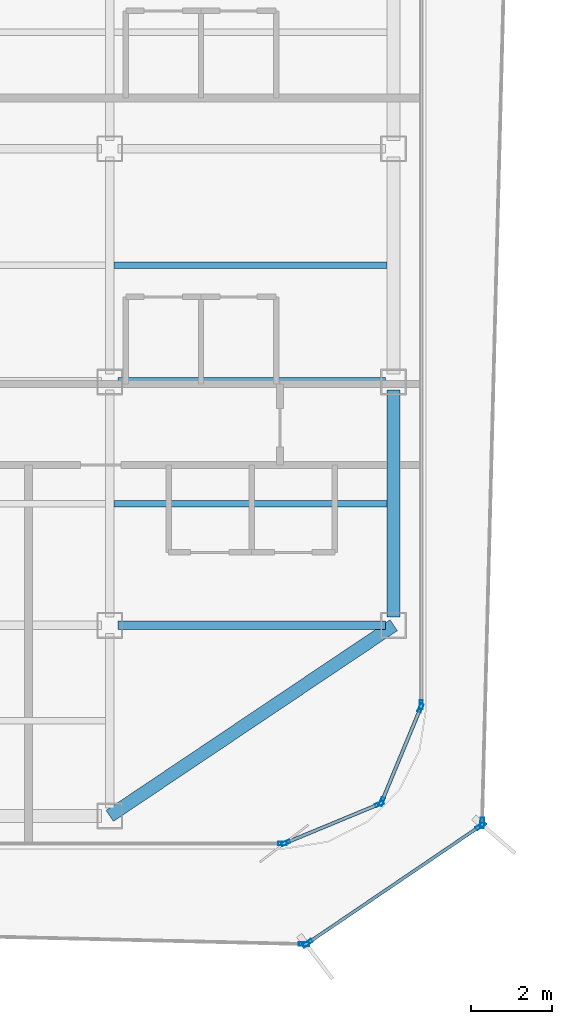
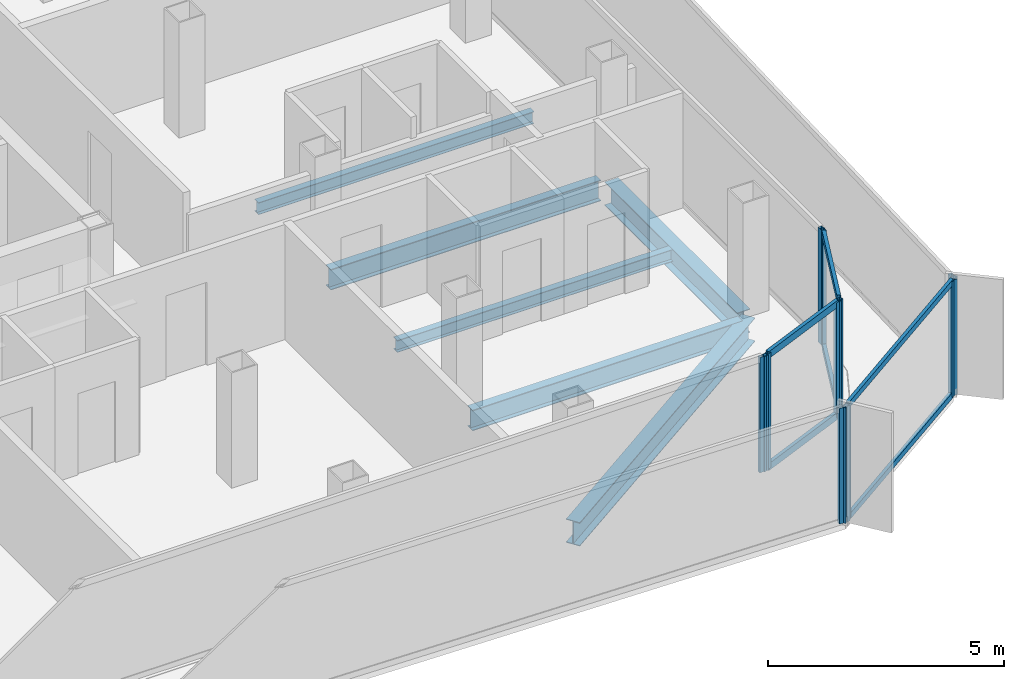
# One storey, part 4 of 16: 16 members, 6 beams, 7 elements without a shape of their own.
"""IFC4 building model written with IfcOpenShell, lengths in metres."""

from ifc_helpers import new_model, si_unit, direction, frame, origin, origin_2d, place, context, subcontext, project, spatial, hollow_rectangle, i_section, extrude, source, transform, mapped, material, layer, layer_set, material_profile, profile_set, type_object, element, aggregate, save


model = new_model("IFC4")

# Units and contexts
model_context = context("Model", 3, precision=1e-05, world=origin(), true_north=direction((0.0, 1.0)))
body_context = subcontext(model_context, "Body", "Model", "MODEL_VIEW")
ifc_project = project(units=[si_unit("LENGTHUNIT", "METRE"), si_unit("AREAUNIT", "SQUARE_METRE"), si_unit("VOLUMEUNIT", "CUBIC_METRE"), si_unit("PLANEANGLEUNIT", "RADIAN"), si_unit("MASSUNIT", "GRAM", prefix="KILO")], contexts=[model_context])

# Site, building, storey
site_placement = place(None, origin())
site = spatial("IfcSite", under=ifc_project, at=site_placement, CompositionType="ELEMENT")
building_placement = place(site_placement, origin())
building = spatial("IfcBuilding", under=site, at=building_placement, Name="Kolveth Station Tower", CompositionType="ELEMENT")
storey_placement = place(building_placement, frame((0.0, 0.0, 236.10009765625)))
storey = spatial("IfcBuildingStorey", under=building, at=storey_placement, Name="L67", CompositionType="ELEMENT", Elevation=236.10009765625)

# Beams
ifc_material_1 = material(Name="Steel S355", Category="steel")
ifc_material_profile_1 = material_profile(ifc_material_1, i_section(OverallWidth=0.323974609375, OverallDepth=0.611083984375, WebThickness=0.0126953125, FlangeThickness=0.01904296875, at=origin_2d()), Name="W610x155")
ifc_profile_set_1 = profile_set([ifc_material_profile_1], Name="Steel S355")
beam_type_1 = type_object("IfcBeamType", Name="Beam_SP2", PredefinedType="SPANDREL", material=ifc_profile_set_1)
shared_shape_1 = source(origin(), body_context, "Body", "SweptSolid", [
    extrude(i_section(OverallWidth=0.323974609375, OverallDepth=0.611083984375, WebThickness=0.0126953125, FlangeThickness=0.01904296875, at=origin_2d()), origin(), (0.0, 0.0, 1.0), 8.431396484375),
])
beam_1_placement = place(storey_placement, frame((34.0, 0.800048828125, -0.525634765625), z_axis=(0.830223811004, 0.557430196206, 0.0), x_axis=(-0.557430196206, 0.830223811004, 0.0)))
element("IfcBeam", 1, at=beam_1_placement, inside=storey, type_object=beam_type_1, Name="L67 Corner Edge Girder BM-L67-CNR-SE", PredefinedType="SPANDREL", context=body_context, shape_type="MappedRepresentation", body=[
    mapped(shared_shape_1, transform((0.0, 0.0, 0.0), x_axis=(1.0, 0.0, 0.0), y_axis=(0.0, 1.0, 0.0), z_axis=(0.0, 0.0, 1.0), scale=1.0)),
])
shared_shape_2 = source(origin(), body_context, "Body", "SweptSolid", [
    extrude(i_section(OverallWidth=0.323974609375, OverallDepth=0.611083984375, WebThickness=0.0126953125, FlangeThickness=0.01904296875, at=origin_2d()), origin(), (0.0, 0.0, 1.0), 5.60009765625),
])
beam_2_placement = place(storey_placement, frame((41.0, 5.699951171875, -0.525634765625), z_axis=(0.0, 1.0, 0.0), x_axis=(-1.0, 0.0, 0.0)))
element("IfcBeam", 2, at=beam_2_placement, inside=storey, type_object=beam_type_1, Name="L67 Perimeter Spandrel BM-L67-PE-1", PredefinedType="SPANDREL", context=body_context, shape_type="MappedRepresentation", body=[
    mapped(shared_shape_2, transform((0.0, 0.0, 0.0), x_axis=(1.0, 0.0, 0.0), y_axis=(0.0, 1.0, 0.0), z_axis=(0.0, 0.0, 1.0), scale=1.0)),
])
ifc_material_profile_2 = material_profile(ifc_material_1, i_section(OverallWidth=0.2099609375, OverallDepth=0.537109375, WebThickness=0.010986328125, FlangeThickness=0.017333984375, at=origin_2d()), Name="W530x101")
ifc_profile_set_2 = profile_set([ifc_material_profile_2], Name="Steel S355")
beam_type_2 = type_object("IfcBeamType", Name="Beam_B6", PredefinedType="BEAM", material=ifc_profile_set_2)
shared_shape_3 = source(origin(), body_context, "Body", "SweptSolid", [
    extrude(i_section(OverallWidth=0.2099609375, OverallDepth=0.537109375, WebThickness=0.010986328125, FlangeThickness=0.017333984375, at=origin_2d()), origin(), (0.0, 0.0, 1.0), 6.60009765625),
])
for number, where, z_axis, x_axis, name in (
    (3, (34.199951171875, 5.5, -0.488525390625), (1.0, 0.0, 0.0), (0.0, 1.0, 0.0), "L67 Primary Girder BM-L67-GY55-5"),
    (4, (34.199951171875, 11.5, -0.488525390625), (1.0, 0.0, 0.0), (0.0, 1.0, 0.0), "L67 Primary Girder BM-L67-GY115-5"),
):
    element("IfcBeam", number, at=place(storey_placement, frame(where, z_axis=z_axis, x_axis=x_axis)), inside=storey, type_object=beam_type_2, Name=name, PredefinedType="BEAM", context=body_context, shape_type="MappedRepresentation", body=[
        mapped(shared_shape_3, transform((0.0, 0.0, 0.0), x_axis=(1.0, 0.0, 0.0), y_axis=(0.0, 1.0, 0.0), z_axis=(0.0, 0.0, 1.0), scale=1.0)),
    ])
ifc_material_profile_3 = material_profile(ifc_material_1, i_section(OverallWidth=0.1650390625, OverallDepth=0.31005859375, WebThickness=0.005859375, FlangeThickness=0.009765625, at=origin_2d()), Name="W310x39")
ifc_profile_set_3 = profile_set([ifc_material_profile_3], Name="Steel S355")
beam_type_3 = type_object("IfcBeamType", Name="Beam_J3", PredefinedType="JOIST", material=ifc_profile_set_3)
shared_shape_4 = source(origin(), body_context, "Body", "SweptSolid", [
    extrude(i_section(OverallWidth=0.1650390625, OverallDepth=0.31005859375, WebThickness=0.005859375, FlangeThickness=0.009765625, at=origin_2d()), origin(), (0.0, 0.0, 1.0), 6.737060546875),
])
for number, where, z_axis, x_axis, name in (
    (5, (34.10302734375, 8.5, -0.375), (1.0, 0.0, 0.0), (0.0, 1.0, 0.0), "L67 Secondary Joist JST-L67-5-2"),
    (6, (34.10302734375, 14.375, -0.375), (1.0, 0.0, 0.0), (0.0, 1.0, 0.0), "L67 Secondary Joist JST-L67-5-3"),
):
    element("IfcBeam", number, at=place(storey_placement, frame(where, z_axis=z_axis, x_axis=x_axis)), inside=storey, type_object=beam_type_3, Name=name, PredefinedType="JOIST", context=body_context, shape_type="MappedRepresentation", body=[
        mapped(shared_shape_4, transform((0.0, 0.0, 0.0), x_axis=(1.0, 0.0, 0.0), y_axis=(0.0, 1.0, 0.0), z_axis=(0.0, 0.0, 1.0), scale=1.0)),
    ])

# Curtain wall, members
ifc_material_2 = material(Name="Black anodized aluminium 6063-T6 and dark solar glass", Category="aluminium")
ifc_layer_1 = layer(ifc_material_2, 0.159912109375)
ifc_layer_set_1 = layer_set([ifc_layer_1], Name="Black anodized aluminium 6063-T6 and dark solar glass")
curtain_wall_type_1 = type_object("IfcCurtainWallType", Name="OUTER SKIN CW-OS", PredefinedType="NOTDEFINED", material=ifc_layer_set_1)
curtain_wall_1_placement = place(storey_placement, origin())
curtain_wall_1 = element("IfcCurtainWall", 7, at=curtain_wall_1_placement, inside=storey, type_object=curtain_wall_type_1, Name="L67 Outer Ventilated Skin Curtain Wall 1", PredefinedType="NOTDEFINED")
ifc_material_3 = material(Name="Black anodized aluminium 6063-T6", Category="aluminium")
ifc_material_profile_4 = material_profile(ifc_material_3, hollow_rectangle(XDim=0.090087890625, YDim=0.260009765625, WallThickness=0.0048828125, at=origin_2d()), Name="ALU-90x260x5")
ifc_profile_set_4 = profile_set([ifc_material_profile_4], Name="Black anodized aluminium 6063-T6")
member_type_1 = type_object("IfcMemberType", Name="FIN MULLION ML-OS", PredefinedType="MULLION", material=ifc_profile_set_4)
shared_shape_5 = source(origin(), body_context, "Body", "SweptSolid", [
    extrude(hollow_rectangle(XDim=0.090087890625, YDim=0.260009765625, WallThickness=0.0048828125, at=origin_2d()), origin(), (0.0, 0.0, 1.0), 2.989990234375),
])
member_1_placement = place(storey_placement, frame((38.875244140625, -2.339111328125, 0.0), z_axis=(0.0, 0.0, 1.0), x_axis=(-0.561262914481, 0.827637566105, 0.0)))
member_1 = element("IfcMember", 8, at=member_1_placement, type_object=member_type_1, Name="CW-OS mullion 1", PredefinedType="MULLION", context=body_context, shape_type="MappedRepresentation", body=[
    mapped(shared_shape_5, transform((0.0, 0.0, 0.0), x_axis=(1.0, 0.0, 0.0), y_axis=(0.0, 1.0, 0.0), z_axis=(0.0, 0.0, 1.0), scale=1.0)),
])
member_2_placement = place(storey_placement, frame((43.145751953125, 0.55712890625, 0.0), z_axis=(0.0, 0.0, 1.0), x_axis=(-0.561262914481, 0.827637566105, 0.0)))
member_2 = element("IfcMember", 9, at=member_2_placement, type_object=member_type_1, Name="CW-OS mullion 2", PredefinedType="MULLION", context=body_context, shape_type="MappedRepresentation", body=[
    mapped(shared_shape_5, transform((0.0, 0.0, 0.0), x_axis=(1.0, 0.0, 0.0), y_axis=(0.0, 1.0, 0.0), z_axis=(0.0, 0.0, 1.0), scale=1.0)),
])

# Curtain wall, member
curtain_wall_2_placement = place(storey_placement, origin())
curtain_wall_2 = element("IfcCurtainWall", 10, at=curtain_wall_2_placement, inside=storey, type_object=curtain_wall_type_1, Name="L67 Outer Ventilated Skin Curtain Wall 2", PredefinedType="NOTDEFINED")
member_3_placement = place(storey_placement, frame((43.184326171875, 0.627197265625, 0.0), z_axis=(0.0, 0.0, 1.0), x_axis=(-0.999666538704, 0.0258226915, 0.0)))
member_3 = element("IfcMember", 11, at=member_3_placement, type_object=member_type_1, Name="CW-OS mullion 1", PredefinedType="MULLION", context=body_context, shape_type="MappedRepresentation", body=[
    mapped(shared_shape_5, transform((0.0, 0.0, 0.0), x_axis=(1.0, 0.0, 0.0), y_axis=(0.0, 1.0, 0.0), z_axis=(0.0, 0.0, 1.0), scale=1.0)),
])
aggregate(curtain_wall_2, [member_3])

curtain_wall_3_placement = place(storey_placement, origin())
curtain_wall_3 = element("IfcCurtainWall", 12, at=curtain_wall_3_placement, inside=storey, type_object=curtain_wall_type_1, Name="L67 Outer Ventilated Skin Curtain Wall 8", PredefinedType="NOTDEFINED")
member_4_placement = place(storey_placement, frame((38.79296875, -2.36328125, 0.0), z_axis=(0.0, 0.0, 1.0), x_axis=(0.023748509719, 0.999717964371, 0.0)))
member_4 = element("IfcMember", 13, at=member_4_placement, type_object=member_type_1, Name="CW-OS mullion 2", PredefinedType="MULLION", context=body_context, shape_type="MappedRepresentation", body=[
    mapped(shared_shape_5, transform((0.0, 0.0, 0.0), x_axis=(1.0, 0.0, 0.0), y_axis=(0.0, 1.0, 0.0), z_axis=(0.0, 0.0, 1.0), scale=1.0)),
])
aggregate(curtain_wall_3, [member_4])

# Curtain wall, members
ifc_material_4 = material(Name="Aluminium 6063-T6 and triple low-E dark glass", Category="aluminium")
ifc_layer_2 = layer(ifc_material_4, 0.199951171875)
ifc_layer_set_2 = layer_set([ifc_layer_2], Name="Aluminium 6063-T6 and triple low-E dark glass")
curtain_wall_type_2 = type_object("IfcCurtainWallType", Name="CurtainWall_CW-Z3", PredefinedType="NOTDEFINED", material=ifc_layer_set_2)
curtain_wall_4_placement = place(storey_placement, origin())
curtain_wall_4 = element("IfcCurtainWall", 14, at=curtain_wall_4_placement, inside=storey, type_object=curtain_wall_type_2, Name="L67 Inner Thermal Curtain Wall 1", PredefinedType="NOTDEFINED")
ifc_material_profile_5 = material_profile(ifc_material_3, hollow_rectangle(XDim=0.0849609375, YDim=0.215087890625, WallThickness=0.0048828125, at=origin_2d()), Name="ALU-85x215x5")
ifc_profile_set_5 = profile_set([ifc_material_profile_5], Name="Black anodized aluminium 6063-T6")
member_type_2 = type_object("IfcMemberType", Name="Mullion_ML3", PredefinedType="MULLION", material=ifc_profile_set_5)
shared_shape_6 = source(origin(), body_context, "Body", "SweptSolid", [
    extrude(hollow_rectangle(XDim=0.0849609375, YDim=0.215087890625, WallThickness=0.0048828125, at=origin_2d()), origin(), (0.0, 0.0, 1.0), 2.97998046875),
])
member_5_placement = place(storey_placement, frame((38.33935546875, 0.13623046875, 0.0), z_axis=(0.0, 0.0, 1.0), x_axis=(-0.382693194181, 0.923875488975, 0.0)))
member_5 = element("IfcMember", 15, at=member_5_placement, type_object=member_type_2, Name="CW-Z3 mullion 1", PredefinedType="MULLION", context=body_context, shape_type="MappedRepresentation", body=[
    mapped(shared_shape_6, transform((0.0, 0.0, 0.0), x_axis=(1.0, 0.0, 0.0), y_axis=(0.0, 1.0, 0.0), z_axis=(0.0, 0.0, 1.0), scale=1.0)),
])
member_6_placement = place(storey_placement, frame((40.650634765625, 1.09375, 0.0), z_axis=(0.0, 0.0, 1.0), x_axis=(-0.382693194181, 0.923875488975, 0.0)))
member_6 = element("IfcMember", 16, at=member_6_placement, type_object=member_type_2, Name="CW-Z3 mullion 2", PredefinedType="MULLION", context=body_context, shape_type="MappedRepresentation", body=[
    mapped(shared_shape_6, transform((0.0, 0.0, 0.0), x_axis=(1.0, 0.0, 0.0), y_axis=(0.0, 1.0, 0.0), z_axis=(0.0, 0.0, 1.0), scale=1.0)),
])

curtain_wall_5_placement = place(storey_placement, origin())
curtain_wall_5 = element("IfcCurtainWall", 17, at=curtain_wall_5_placement, inside=storey, type_object=curtain_wall_type_2, Name="L67 Inner Thermal Curtain Wall 2", PredefinedType="NOTDEFINED")
member_7_placement = place(storey_placement, frame((40.706298828125, 1.149169921875, 0.0), z_axis=(0.0, 0.0, 1.0), x_axis=(-0.923875488975, 0.382693194181, 0.0)))
member_7 = element("IfcMember", 18, at=member_7_placement, type_object=member_type_2, Name="CW-Z3 mullion 1", PredefinedType="MULLION", context=body_context, shape_type="MappedRepresentation", body=[
    mapped(shared_shape_6, transform((0.0, 0.0, 0.0), x_axis=(1.0, 0.0, 0.0), y_axis=(0.0, 1.0, 0.0), z_axis=(0.0, 0.0, 1.0), scale=1.0)),
])
member_8_placement = place(storey_placement, frame((41.663818359375, 3.460693359375, 0.0), z_axis=(0.0, 0.0, 1.0), x_axis=(-0.923875488975, 0.382693194181, 0.0)))
member_8 = element("IfcMember", 19, at=member_8_placement, type_object=member_type_2, Name="CW-Z3 mullion 2", PredefinedType="MULLION", context=body_context, shape_type="MappedRepresentation", body=[
    mapped(shared_shape_6, transform((0.0, 0.0, 0.0), x_axis=(1.0, 0.0, 0.0), y_axis=(0.0, 1.0, 0.0), z_axis=(0.0, 0.0, 1.0), scale=1.0)),
])

# Curtain wall, member
curtain_wall_6_placement = place(storey_placement, origin())
curtain_wall_6 = element("IfcCurtainWall", 20, at=curtain_wall_6_placement, inside=storey, type_object=curtain_wall_type_2, Name="L67 Inner Thermal Curtain Wall 3", PredefinedType="NOTDEFINED")
member_9_placement = place(storey_placement, frame((41.679931640625, 3.54248046875, 0.0), z_axis=(0.0, 0.0, 1.0), x_axis=(-1.0, 0.0, 0.0)))
member_9 = element("IfcMember", 21, at=member_9_placement, type_object=member_type_2, Name="CW-Z3 mullion 1", PredefinedType="MULLION", context=body_context, shape_type="MappedRepresentation", body=[
    mapped(shared_shape_6, transform((0.0, 0.0, 0.0), x_axis=(1.0, 0.0, 0.0), y_axis=(0.0, 1.0, 0.0), z_axis=(0.0, 0.0, 1.0), scale=1.0)),
])
aggregate(curtain_wall_6, [member_9])

curtain_wall_7_placement = place(storey_placement, origin())
curtain_wall_7 = element("IfcCurtainWall", 22, at=curtain_wall_7_placement, inside=storey, type_object=curtain_wall_type_2, Name="L67 Inner Thermal Curtain Wall 12", PredefinedType="NOTDEFINED")
member_10_placement = place(storey_placement, frame((38.257568359375, 0.1201171875, 0.0), z_axis=(0.0, 0.0, 1.0), x_axis=(0.0, 1.0, 0.0)))
member_10 = element("IfcMember", 23, at=member_10_placement, type_object=member_type_2, Name="CW-Z3 mullion 2", PredefinedType="MULLION", context=body_context, shape_type="MappedRepresentation", body=[
    mapped(shared_shape_6, transform((0.0, 0.0, 0.0), x_axis=(1.0, 0.0, 0.0), y_axis=(0.0, 1.0, 0.0), z_axis=(0.0, 0.0, 1.0), scale=1.0)),
])
aggregate(curtain_wall_7, [member_10])

# Member
ifc_material_profile_6 = material_profile(ifc_material_3, hollow_rectangle(XDim=0.0849609375, YDim=0.179931640625, WallThickness=0.0048828125, at=origin_2d()), Name="ALU-85x180x5")
ifc_profile_set_6 = profile_set([ifc_material_profile_6], Name="Black anodized aluminium 6063-T6")
member_type_3 = type_object("IfcMemberType", Name="Transom_TR3", PredefinedType="USERDEFINED", material=ifc_profile_set_6)
shared_shape_7 = source(origin(), body_context, "Body", "SweptSolid", [
    extrude(hollow_rectangle(XDim=0.0849609375, YDim=0.179931640625, WallThickness=0.0048828125, at=origin_2d()), origin(), (0.0, 0.0, 1.0), 2.4169921875),
])
member_11_placement = place(storey_placement, frame((38.37841796875, 0.152587890625, 0.04248046875), z_axis=(0.923908507952, 0.382613471971, 0.0), x_axis=(-0.382613471971, 0.923908507952, 0.0)))
member_11 = element("IfcMember", 24, at=member_11_placement, type_object=member_type_3, Name="CW-Z3 transom 1.1", ObjectType="TRANSOM", PredefinedType="USERDEFINED", context=body_context, shape_type="MappedRepresentation", body=[
    mapped(shared_shape_7, transform((0.0, 0.0, 0.0), x_axis=(1.0, 0.0, 0.0), y_axis=(0.0, 1.0, 0.0), z_axis=(0.0, 0.0, 1.0), scale=1.0)),
])

member_12_placement = place(storey_placement, frame((38.37841796875, 0.152587890625, 2.9375), z_axis=(0.923908507952, 0.382613471971, 0.0), x_axis=(-0.382613471971, 0.923908507952, 0.0)))
member_12 = element("IfcMember", 25, at=member_12_placement, type_object=member_type_3, Name="CW-Z3 transom 1.2", ObjectType="TRANSOM", PredefinedType="USERDEFINED", context=body_context, shape_type="MappedRepresentation", body=[
    mapped(shared_shape_7, transform((0.0, 0.0, 0.0), x_axis=(1.0, 0.0, 0.0), y_axis=(0.0, 1.0, 0.0), z_axis=(0.0, 0.0, 1.0), scale=1.0)),
])

aggregate(curtain_wall_4, [member_5, member_6, member_11, member_12])

member_13_placement = place(storey_placement, frame((40.722412109375, 1.1884765625, 0.04248046875), z_axis=(0.382735401206, 0.9238580046, 0.0), x_axis=(-0.9238580046, 0.382735401206, 0.0)))
member_13 = element("IfcMember", 26, at=member_13_placement, type_object=member_type_3, Name="CW-Z3 transom 1.1", ObjectType="TRANSOM", PredefinedType="USERDEFINED", context=body_context, shape_type="MappedRepresentation", body=[
    mapped(shared_shape_7, transform((0.0, 0.0, 0.0), x_axis=(1.0, 0.0, 0.0), y_axis=(0.0, 1.0, 0.0), z_axis=(0.0, 0.0, 1.0), scale=1.0)),
])

member_14_placement = place(storey_placement, frame((40.722412109375, 1.1884765625, 2.9375), z_axis=(0.382735401206, 0.9238580046, 0.0), x_axis=(-0.9238580046, 0.382735401206, 0.0)))
member_14 = element("IfcMember", 27, at=member_14_placement, type_object=member_type_3, Name="CW-Z3 transom 1.2", ObjectType="TRANSOM", PredefinedType="USERDEFINED", context=body_context, shape_type="MappedRepresentation", body=[
    mapped(shared_shape_7, transform((0.0, 0.0, 0.0), x_axis=(1.0, 0.0, 0.0), y_axis=(0.0, 1.0, 0.0), z_axis=(0.0, 0.0, 1.0), scale=1.0)),
])

aggregate(curtain_wall_5, [member_7, member_8, member_13, member_14])

ifc_material_profile_7 = material_profile(ifc_material_3, hollow_rectangle(XDim=0.080078125, YDim=0.14990234375, WallThickness=0.0048828125, at=origin_2d()), Name="ALU-80x150x5")
ifc_profile_set_7 = profile_set([ifc_material_profile_7], Name="Black anodized aluminium 6063-T6")
member_type_4 = type_object("IfcMemberType", Name="Transom_TR-OS", PredefinedType="USERDEFINED", material=ifc_profile_set_7)
shared_shape_8 = source(origin(), body_context, "Body", "SweptSolid", [
    extrude(hollow_rectangle(XDim=0.080078125, YDim=0.14990234375, WallThickness=0.0048828125, at=origin_2d()), origin(), (0.0, 0.0, 1.0), 5.0703125),
])
member_15_placement = place(storey_placement, frame((38.912353515625, -2.31396484375, 0.039794921875), z_axis=(0.827638741831, 0.561261180753, 0.0), x_axis=(-0.561261180753, 0.827638741831, 0.0)))
member_15 = element("IfcMember", 28, at=member_15_placement, type_object=member_type_4, Name="CW-OS transom 1.1", ObjectType="TRANSOM", PredefinedType="USERDEFINED", context=body_context, shape_type="MappedRepresentation", body=[
    mapped(shared_shape_8, transform((0.0, 0.0, 0.0), x_axis=(1.0, 0.0, 0.0), y_axis=(0.0, 1.0, 0.0), z_axis=(0.0, 0.0, 1.0), scale=1.0)),
])

member_16_placement = place(storey_placement, frame((38.912353515625, -2.31396484375, 2.949951171875), z_axis=(0.827638741831, 0.561261180753, 0.0), x_axis=(-0.561261180753, 0.827638741831, 0.0)))
member_16 = element("IfcMember", 29, at=member_16_placement, type_object=member_type_4, Name="CW-OS transom 1.2", ObjectType="TRANSOM", PredefinedType="USERDEFINED", context=body_context, shape_type="MappedRepresentation", body=[
    mapped(shared_shape_8, transform((0.0, 0.0, 0.0), x_axis=(1.0, 0.0, 0.0), y_axis=(0.0, 1.0, 0.0), z_axis=(0.0, 0.0, 1.0), scale=1.0)),
])

aggregate(curtain_wall_1, [member_1, member_2, member_15, member_16])

save(model, "model.ifc")
